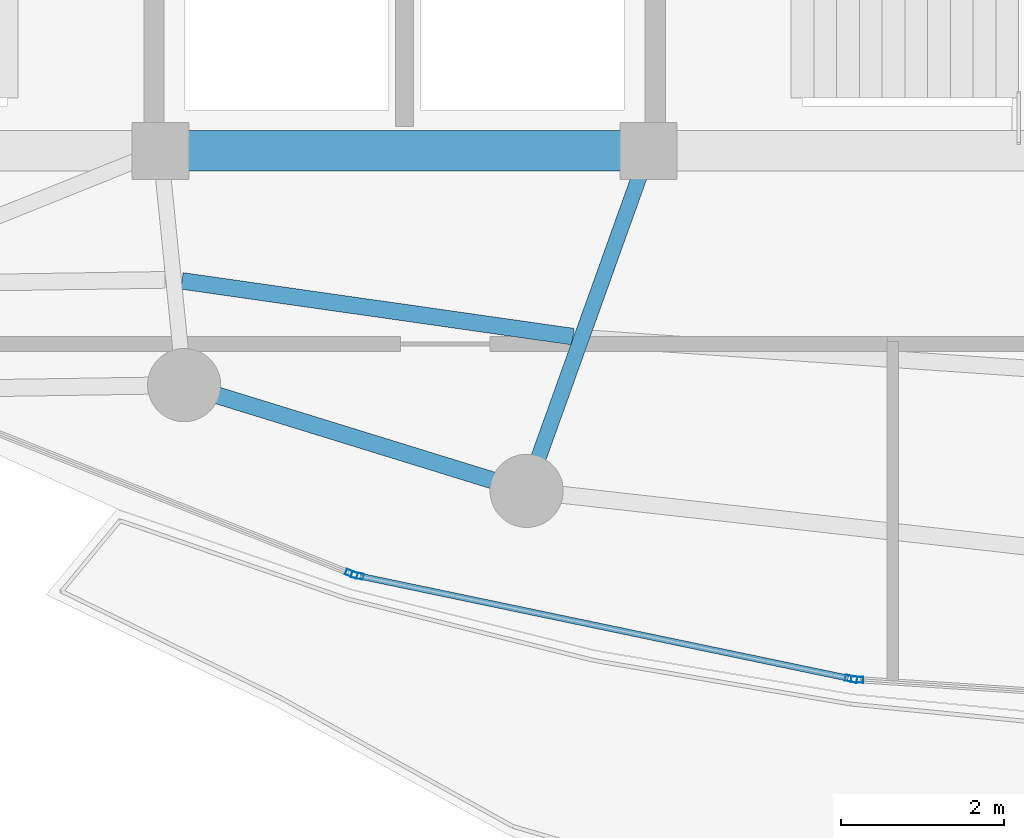
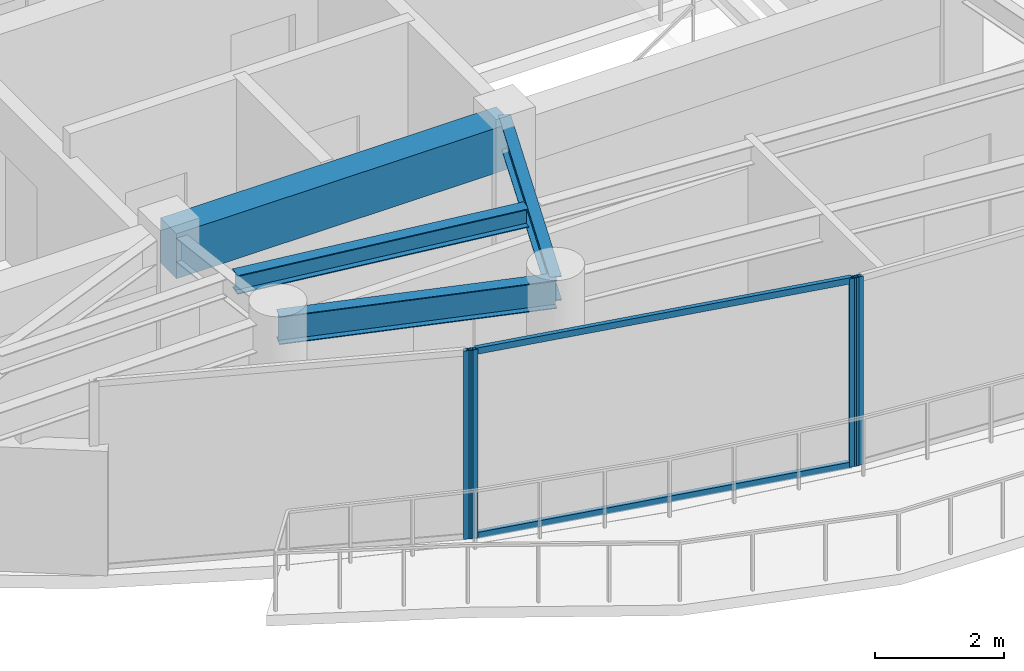
# One storey, part 5 of 23: 6 members, 4 beams, 3 elements without a shape of their own.
"""IFC4 building model written with IfcOpenShell, lengths in metres."""

from ifc_helpers import new_model, si_unit, direction, frame, origin, origin_2d, place, context, subcontext, project, spatial, rectangle, hollow_rectangle, i_section, extrude, material, layer, layer_set, material_profile, profile_set, type_object, element, aggregate, save


model = new_model("IFC4")

# Units and contexts
model_context = context("Model", 3, precision=1e-05, world=origin(), true_north=direction((0.0, 1.0)))
body_context = subcontext(model_context, "Body", "Model", "MODEL_VIEW")
ifc_project = project(units=[si_unit("LENGTHUNIT", "METRE"), si_unit("AREAUNIT", "SQUARE_METRE"), si_unit("VOLUMEUNIT", "CUBIC_METRE"), si_unit("PLANEANGLEUNIT", "RADIAN"), si_unit("MASSUNIT", "GRAM", prefix="KILO")], contexts=[model_context])

# Site, building, storey
site_placement = place(None, origin())
site = spatial("IfcSite", under=ifc_project, at=site_placement, CompositionType="ELEMENT")
building_placement = place(site_placement, origin())
building = spatial("IfcBuilding", under=site, at=building_placement, Name="Kazevale Care Tower and Concert Hall", CompositionType="ELEMENT")
storey_placement = place(building_placement, frame((0.0, 0.0, 270.0)))
storey = spatial("IfcBuildingStorey", under=building, at=storey_placement, Name="L71", CompositionType="ELEMENT", Elevation=270.0)

# Curtain wall, member
ifc_material_1 = material(Name="Aluminium 6063-T6 and Low-E Glass", Category="aluminium")
ifc_layer = layer(ifc_material_1, 0.179931640625)
ifc_layer_set = layer_set([ifc_layer], Name="Aluminium 6063-T6 and Low-E Glass")
curtain_wall_type = type_object("IfcCurtainWallType", Name="Sheltered Concave Balcony Curtain Wall CW-5", PredefinedType="NOTDEFINED", material=ifc_layer_set)
curtain_wall_1_placement = place(storey_placement, origin())
curtain_wall_1 = element("IfcCurtainWall", 1, at=curtain_wall_1_placement, inside=storey, type_object=curtain_wall_type, Name="cw:L71:f02", PredefinedType="NOTDEFINED")
ifc_material_2 = material(Name="Aluminium 6063-T6", Category="aluminium")
ifc_material_profile_1 = material_profile(ifc_material_2, hollow_rectangle(XDim=0.074951171875, YDim=0.14990234375, WallThickness=0.00390625, at=origin_2d()), Name="ALU75x150x4")
ifc_profile_set_1 = profile_set([ifc_material_profile_1], Name="Aluminium 6063-T6")
member_type_1 = type_object("IfcMemberType", Name="CW-5 Mullion ALU75x150x4", PredefinedType="MULLION", material=ifc_profile_set_1)
member_1_placement = place(storey_placement, frame((38.5634765625, 17.099609375, 0.0), z_axis=(0.0, 0.0, 1.0), x_axis=(-0.065045771206, -0.997882281458, 0.0)))
member_1 = element("IfcMember", 2, at=member_1_placement, type_object=member_type_1, Name="CW-5 mullion 2", PredefinedType="MULLION", context=body_context, shape_type="SweptSolid", body=[
    extrude(hollow_rectangle(XDim=0.074951171875, YDim=0.14990234375, WallThickness=0.00390625, at=origin_2d()), origin(), (0.0, 0.0, 1.0), 3.56005859375),
])
aggregate(curtain_wall_1, [member_1])

# Curtain wall, members
curtain_wall_2_placement = place(storey_placement, origin())
curtain_wall_2 = element("IfcCurtainWall", 3, at=curtain_wall_2_placement, inside=storey, type_object=curtain_wall_type, Name="cw:L71:f03", PredefinedType="NOTDEFINED")
member_2_placement = place(storey_placement, frame((38.4892578125, 17.109619140625, 0.0), z_axis=(0.0, 0.0, 1.0), x_axis=(-0.204564979592, -0.978852986472, 0.0)))
member_2 = element("IfcMember", 4, at=member_2_placement, type_object=member_type_1, Name="CW-5 mullion 1", PredefinedType="MULLION", context=body_context, shape_type="SweptSolid", body=[
    extrude(hollow_rectangle(XDim=0.074951171875, YDim=0.14990234375, WallThickness=0.00390625, at=origin_2d()), origin(), (0.0, 0.0, 1.0), 3.56005859375),
])
member_3_placement = place(storey_placement, frame((32.418701171875, 18.37841796875, 0.0), z_axis=(0.0, 0.0, 1.0), x_axis=(-0.204564979592, -0.978852986472, 0.0)))
member_3 = element("IfcMember", 5, at=member_3_placement, type_object=member_type_1, Name="CW-5 mullion 2", PredefinedType="MULLION", context=body_context, shape_type="SweptSolid", body=[
    extrude(hollow_rectangle(XDim=0.074951171875, YDim=0.14990234375, WallThickness=0.00390625, at=origin_2d()), origin(), (0.0, 0.0, 1.0), 3.56005859375),
])

# Curtain wall, member
curtain_wall_3_placement = place(storey_placement, origin())
curtain_wall_3 = element("IfcCurtainWall", 6, at=curtain_wall_3_placement, inside=storey, type_object=curtain_wall_type, Name="cw:L71:f04", PredefinedType="NOTDEFINED")
member_4_placement = place(storey_placement, frame((32.34716796875, 18.39990234375, 0.0), z_axis=(0.0, 0.0, 1.0), x_axis=(-0.369556171894, -0.929208392028, 0.0)))
member_4 = element("IfcMember", 7, at=member_4_placement, type_object=member_type_1, Name="CW-5 mullion 1", PredefinedType="MULLION", context=body_context, shape_type="SweptSolid", body=[
    extrude(hollow_rectangle(XDim=0.074951171875, YDim=0.14990234375, WallThickness=0.00390625, at=origin_2d()), origin(), (0.0, 0.0, 1.0), 3.56005859375),
])
aggregate(curtain_wall_3, [member_4])

# Member
ifc_material_profile_2 = material_profile(ifc_material_2, hollow_rectangle(XDim=0.074951171875, YDim=0.1201171875, WallThickness=0.00390625, at=origin_2d()), Name="ALU75x120x4")
ifc_profile_set_2 = profile_set([ifc_material_profile_2], Name="Aluminium 6063-T6")
member_type_2 = type_object("IfcMemberType", Name="CW-5 Transom ALU75x120x4", PredefinedType="USERDEFINED", material=ifc_profile_set_2)
member_5_placement = place(storey_placement, frame((38.45263671875, 17.117431640625, 0.03759765625), z_axis=(-0.9788585808, 0.20453820864, 0.0), x_axis=(-0.20453820864, -0.9788585808, 0.0)))
member_5 = element("IfcMember", 8, at=member_5_placement, type_object=member_type_2, Name="CW-5 transom 1.1", ObjectType="TRANSOM", PredefinedType="USERDEFINED", context=body_context, shape_type="SweptSolid", body=[
    extrude(hollow_rectangle(XDim=0.074951171875, YDim=0.1201171875, WallThickness=0.00390625, at=origin_2d()), origin(), (0.0, 0.0, 1.0), 6.126953125),
])

member_6_placement = place(storey_placement, frame((38.45263671875, 17.117431640625, 3.5224609375), z_axis=(-0.9788585808, 0.20453820864, 0.0), x_axis=(-0.20453820864, -0.9788585808, 0.0)))
member_6 = element("IfcMember", 9, at=member_6_placement, type_object=member_type_2, Name="CW-5 transom 1.2", ObjectType="TRANSOM", PredefinedType="USERDEFINED", context=body_context, shape_type="SweptSolid", body=[
    extrude(hollow_rectangle(XDim=0.074951171875, YDim=0.1201171875, WallThickness=0.00390625, at=origin_2d()), origin(), (0.0, 0.0, 1.0), 6.126953125),
])

aggregate(curtain_wall_2, [member_2, member_3, member_5, member_6])

# Beams
ifc_material_3 = material(Name="Concrete C60", Category="concrete")
ifc_material_profile_3 = material_profile(ifc_material_3, rectangle(XDim=0.5, YDim=0.85009765625, at=origin_2d()), Name="RC-B500x850")
ifc_profile_set_3 = profile_set([ifc_material_profile_3], Name="Concrete C60")
beam_type_1 = type_object("IfcBeamType", Name="Core Coupling Beam RC500x850", PredefinedType="LINTEL", material=ifc_profile_set_3)
beam_1_placement = place(storey_placement, frame((30.0, 23.60009765625, 3.135009765625), z_axis=(1.0, 0.0, 0.0), x_axis=(0.0, 1.0, 0.0)))
element("IfcBeam", 10, at=beam_1_placement, inside=storey, type_object=beam_type_1, Name="beam:L71:coretie:2", PredefinedType="LINTEL", context=body_context, shape_type="SweptSolid", body=[
    extrude(rectangle(XDim=0.5, YDim=0.85009765625, at=origin_2d()), origin(), (0.0, 0.0, 1.0), 6.0),
])
ifc_material_4 = material(Name="Steel ASTM A572 Gr 50", Category="steel")
ifc_material_profile_4 = material_profile(ifc_material_4, i_section(OverallWidth=0.19091796875, OverallDepth=0.4599609375, WebThickness=0.010009765625, FlangeThickness=0.01611328125, at=origin_2d()), Name="W460x82")
ifc_profile_set_4 = profile_set([ifc_material_profile_4], Name="Steel ASTM A572 Gr 50")
beam_type_2 = type_object("IfcBeamType", Name="Radial Floor Beam W460x82", PredefinedType="BEAM", material=ifc_profile_set_4)
beam_2_placement = place(storey_placement, frame((36.0, 23.60009765625, 3.330078125), z_axis=(-0.33774987593, -0.941235900988, 0.0), x_axis=(0.941235900988, -0.33774987593, 0.0)))
element("IfcBeam", 11, at=beam_2_placement, inside=storey, type_object=beam_type_2, Name="beam:L71:rad:12", PredefinedType="BEAM", context=body_context, shape_type="SweptSolid", body=[
    extrude(i_section(OverallWidth=0.19091796875, OverallDepth=0.4599609375, WebThickness=0.010009765625, FlangeThickness=0.01611328125, at=origin_2d()), origin(), (0.0, 0.0, 1.0), 4.441162109375),
])
ifc_material_profile_5 = material_profile(ifc_material_4, i_section(OverallWidth=0.205078125, OverallDepth=0.35400390625, WebThickness=0.009521484375, FlangeThickness=0.016845703125, at=origin_2d()), Name="W360x79")
ifc_profile_set_5 = profile_set([ifc_material_profile_5], Name="Steel ASTM A572 Gr 50")
beam_type_3 = type_object("IfcBeamType", Name="Secondary Floor Joist W360x79", PredefinedType="JOIST", material=ifc_profile_set_5)
beam_3_placement = place(storey_placement, frame((30.262939453125, 22.0009765625, 3.383056640625), z_axis=(0.99000170599, -0.141055386768, 0.0), x_axis=(0.141055386768, 0.99000170599, 0.0)))
element("IfcBeam", 12, at=beam_3_placement, inside=storey, type_object=beam_type_3, Name="beam:L71:joist:11", PredefinedType="JOIST", context=body_context, shape_type="SweptSolid", body=[
    extrude(i_section(OverallWidth=0.205078125, OverallDepth=0.35400390625, WebThickness=0.009521484375, FlangeThickness=0.016845703125, at=origin_2d()), origin(), (0.0, 0.0, 1.0), 4.856689453125),
])
ifc_material_profile_6 = material_profile(ifc_material_4, i_section(OverallWidth=0.208984375, OverallDepth=0.532958984375, WebThickness=0.01025390625, FlangeThickness=0.015625, at=origin_2d()), Name="W530x92")
ifc_profile_set_6 = profile_set([ifc_material_profile_6], Name="Steel ASTM A572 Gr 50")
beam_type_4 = type_object("IfcBeamType", Name="Upper Ring Beam W530x92", PredefinedType="BEAM", material=ifc_profile_set_6)
beam_4_placement = place(storey_placement, frame((30.2900390625, 20.719970703125, 3.29345703125), z_axis=(0.955480204609, -0.295055212801, 0.0), x_axis=(0.295055212801, 0.955480204609, 0.0)))
element("IfcBeam", 13, at=beam_4_placement, inside=storey, type_object=beam_type_4, Name="beam:L71:ring:11", PredefinedType="BEAM", context=body_context, shape_type="SweptSolid", body=[
    extrude(i_section(OverallWidth=0.208984375, OverallDepth=0.532958984375, WebThickness=0.01025390625, FlangeThickness=0.015625, at=origin_2d()), origin(), (0.0, 0.0, 1.0), 4.406005859375),
])

save(model, "model.ifc")
